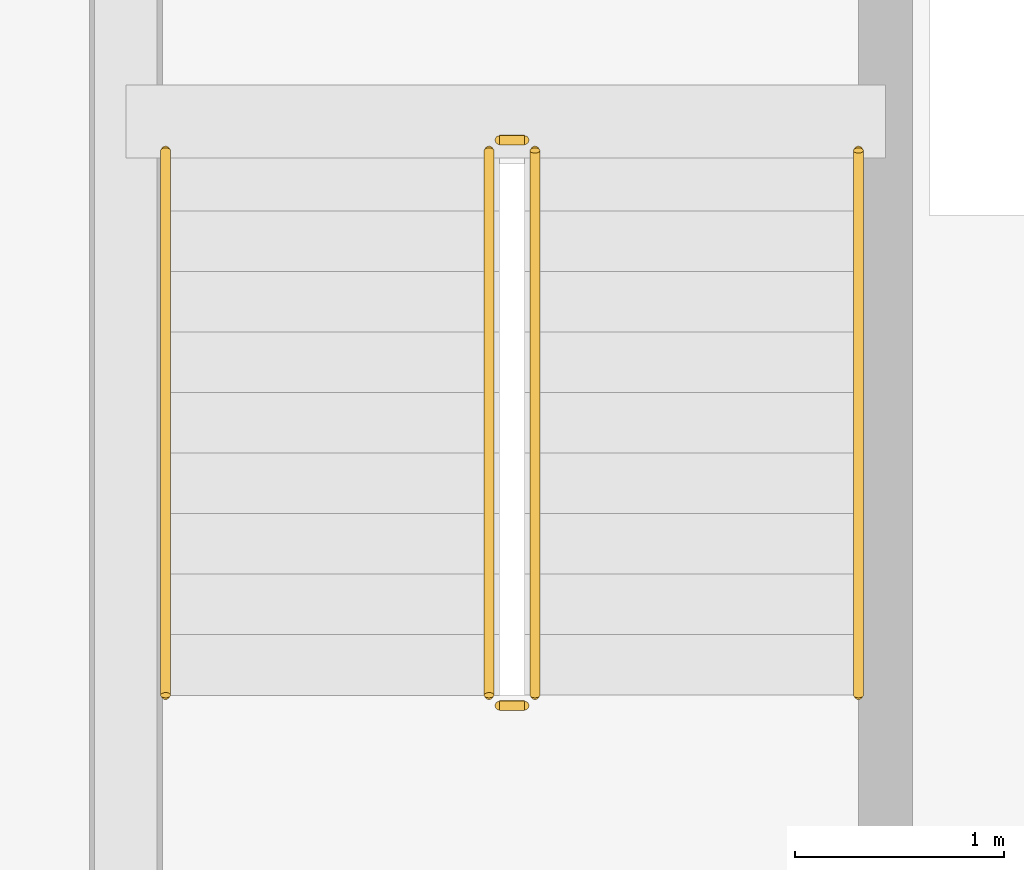
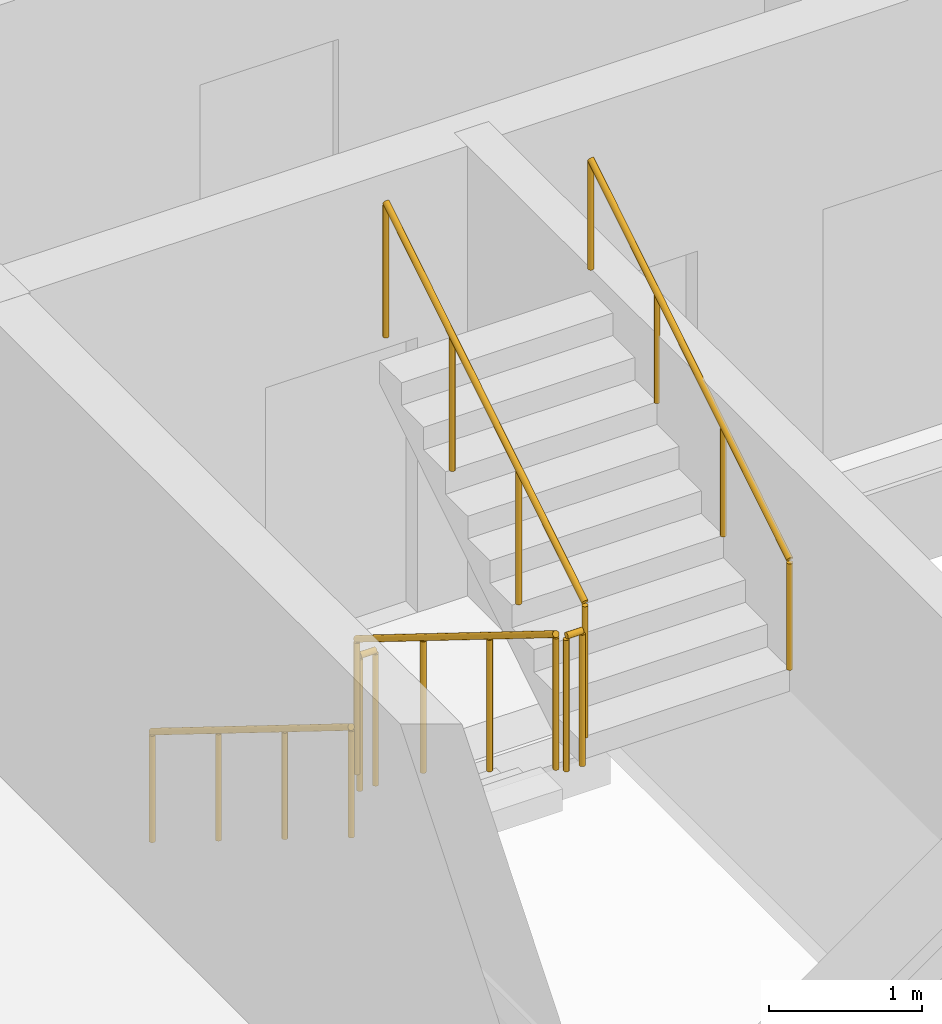
# One storey, part 30 of 34: 6 railings.
"""IFC4 building model written with IfcOpenShell, lengths in metres."""

import ifcopenshell
import ifcopenshell.guid

model = None  # the IFC model being written
_history = None  # IfcOwnerHistory: only IFC2X3 demands one
_inside = {}  # id of a spatial element -> (the spatial element, [elements in it])
_under = {}  # id of a project, library or spatial element -> (it, [spatial elements below it])
_declared = {}  # id of a project -> (the project, [libraries it declares])
_typed = {}  # id of a type object -> (the type object, [elements of that type])
_made_of = {}  # id of a material, layer set ... -> (it, [elements and type objects made of it])


def new_model(schema):
    """Start an empty IFC model of exactly this schema.

    Asked for "IFC4X3", IfcOpenShell would pick the latest addendum, in which some entities
    have other attributes; the version numbers below select the first issue.
    IFC2X3 requires an IfcOwnerHistory on every rooted entity: one is made here for all.
    """
    global model, _history
    if schema == "IFC4X3":
        model = ifcopenshell.file(schema_version=(4, 3, 0, 0))
    else:
        model = ifcopenshell.file(schema=schema)
    _inside.clear()
    _under.clear()
    _declared.clear()
    _typed.clear()
    _made_of.clear()
    _history = None
    if model.schema == "IFC2X3":
        org = make("IfcOrganization", Name="unknown")
        user = make(
            "IfcPersonAndOrganization",
            ThePerson=make("IfcPerson", FamilyName="unknown"),
            TheOrganization=org,
        )
        app = make(
            "IfcApplication",
            ApplicationDeveloper=org,
            Version="unknown",
            ApplicationFullName="unknown",
            ApplicationIdentifier="unknown",
        )
        _history = make(
            "IfcOwnerHistory",
            OwningUser=user,
            OwningApplication=app,
            ChangeAction="ADDED",
            CreationDate=0,
        )
    return model


def make(cls, **values):
    """One entity of the class cls with the attributes given. An attribute that is None is left unset."""
    return model.create_entity(
        cls, **{name: value for name, value in values.items() if value is not None}
    )


def rooted(cls, **values):
    """An entity with a GlobalId (a new one), such as an element, a storey or a relation."""
    return make(cls, GlobalId=ifcopenshell.guid.new(), OwnerHistory=_history, **values)


def si_unit(unit_type, name, prefix=None):
    """IfcSIUnit, for example si_unit("LENGTHUNIT", "METRE", prefix="MILLI")."""
    return make("IfcSIUnit", UnitType=unit_type, Prefix=prefix, Name=name)


def assignment(units):
    """IfcUnitAssignment: the units of a project."""
    return None if units is None else make("IfcUnitAssignment", Units=units)


def point(xyz):
    """IfcCartesianPoint."""
    return None if xyz is None else make("IfcCartesianPoint", Coordinates=xyz)


def direction(xyz):
    """IfcDirection."""
    return None if xyz is None else make("IfcDirection", DirectionRatios=xyz)


def frame(location, z_axis=None, x_axis=None):
    """IfcAxis2Placement3D, a coordinate frame: its origin and axes. An axis left out is left unset."""
    return make(
        "IfcAxis2Placement3D",
        Location=point(location),
        Axis=direction(z_axis),
        RefDirection=direction(x_axis),
    )


def frame_2d(location, x_axis=None):
    """IfcAxis2Placement2D, a coordinate frame in the plane: its origin and x axis."""
    return make(
        "IfcAxis2Placement2D", Location=point(location), RefDirection=direction(x_axis)
    )


def origin():
    """The frame at (0, 0, 0) with its axes left unset."""
    return frame((0.0, 0.0, 0.0))


def origin_2d():
    """The frame at (0, 0) in the plane with its x axis left unset."""
    return frame_2d((0.0, 0.0))


def place(relative_to, where):
    """IfcLocalPlacement: puts the frame where relative to a parent placement (None: the world)."""
    return make(
        "IfcLocalPlacement", PlacementRelTo=relative_to, RelativePlacement=where
    )


def context(
    kind, dimensions, precision=None, world=None, true_north=None, identifier=None
):
    """IfcGeometricRepresentationContext, for example the 3D "Model" context."""
    return make(
        "IfcGeometricRepresentationContext",
        ContextIdentifier=identifier,
        ContextType=kind,
        CoordinateSpaceDimension=dimensions,
        Precision=precision,
        WorldCoordinateSystem=world,
        TrueNorth=true_north,
    )


def subcontext(parent, identifier, kind, view, scale=None):
    """IfcGeometricRepresentationSubContext, for example "Body" below "Model"."""
    return make(
        "IfcGeometricRepresentationSubContext",
        ContextIdentifier=identifier,
        ContextType=kind,
        ParentContext=parent,
        TargetScale=scale,
        TargetView=view,
    )


def project(units=None, contexts=None):
    """IfcProject with its units and contexts."""
    return rooted(
        "IfcProject",
        Name="project",
        RepresentationContexts=contexts,
        UnitsInContext=assignment(units),
    )


def spatial(cls, under=None, at=None, **own):
    """A site, building, storey or space (cls), placed at a placement, below another one or the project."""
    s = rooted(cls, ObjectPlacement=at, **own)
    if under is not None:
        _under.setdefault(under.id(), (under, []))[1].append(s)
    return s


def profile(cls, at=None, kind="AREA", **sizes):
    """A parametric profile (cls). Its sizes go by their IFC names, for example OverallWidth=200.0."""
    return make(cls, ProfileType=kind, Position=at, **sizes)


def circle(**sizes):
    """IfcCircleProfileDef."""
    return profile("IfcCircleProfileDef", **sizes)


def extrude(swept, where, along, depth):
    """IfcExtrudedAreaSolid: the profile swept, set in the frame where, extruded along a direction by depth."""
    return make(
        "IfcExtrudedAreaSolid",
        SweptArea=swept,
        Position=where,
        ExtrudedDirection=direction(along),
        Depth=depth,
    )


def shape(context_of_items, identifier, shape_type, items):
    """IfcShapeRepresentation: the items that make up one representation, for example the "Body"."""
    return make(
        "IfcShapeRepresentation",
        ContextOfItems=context_of_items,
        RepresentationIdentifier=identifier,
        RepresentationType=shape_type,
        Items=items,
    )


def material(Name=None, Category=None):
    """IfcMaterial."""
    return make("IfcMaterial", Name=Name, Category=Category)


def made_of(thing, what):
    """Note that an element or type object is made of a material, layer set ...; save() writes the relation."""
    if what is not None:
        _made_of.setdefault(what.id(), (what, []))[1].append(thing)
    return thing


def type_object(cls, material=None, **own):
    """A type object (cls), such as IfcWallType, which elements share."""
    return made_of(rooted(cls, **own), material)


def element(
    cls,
    number,
    at=None,
    inside=None,
    cuts=None,
    type_object=None,
    material=None,
    context=None,
    identifier="Body",
    shape_type=None,
    held_by="IfcProductDefinitionShape",
    body=None,
    shapes=None,
    **own,
):
    """One element of the class cls, such as IfcWall. Its Tag is "e" and its number.

    at: its placement. inside: the storey or other place that contains it. cuts: it is an
    opening in that element (IfcRelVoidsElement). A single representation is given by context,
    identifier, shape_type and body (its items); several are given by shapes. held_by: the class
    of the entity that holds the representations. save() writes the other relations.
    """
    e = rooted(cls, Tag="e%d" % number, ObjectPlacement=at, **own)
    if body is not None:
        shapes = [shape(context, identifier, shape_type, body)]
    if shapes is not None:
        e.Representation = make(held_by, Representations=shapes)
    if inside is not None:
        _inside.setdefault(inside.id(), (inside, []))[1].append(e)
    if cuts is not None:
        rooted(
            "IfcRelVoidsElement", RelatingBuildingElement=cuts, RelatedOpeningElement=e
        )
    if type_object is not None:
        _typed.setdefault(type_object.id(), (type_object, []))[1].append(e)
    return made_of(e, material)


def aggregate(whole, parts):
    """IfcRelAggregates: a whole, such as a stair, and the parts it consists of."""
    return rooted("IfcRelAggregates", RelatingObject=whole, RelatedObjects=parts)


def save(model, path):
    """Write the relations noted so far, then the file.

    IfcRelAggregates (storeys below a building ...), IfcRelContainedInSpatialStructure (elements
    in a storey), IfcRelDefinesByType, IfcRelAssociatesMaterial and IfcRelDeclares: one each for
    every whole, place, type object, material and project.
    """
    for whole, parts in _under.values():
        aggregate(whole, parts)
    for where, things in _inside.values():
        rooted(
            "IfcRelContainedInSpatialStructure",
            RelatedElements=things,
            RelatingStructure=where,
        )
    for kind, things in _typed.values():
        rooted("IfcRelDefinesByType", RelatedObjects=things, RelatingType=kind)
    for what, things in _made_of.values():
        rooted("IfcRelAssociatesMaterial", RelatedObjects=things, RelatingMaterial=what)
    for by, libraries in _declared.values():
        rooted("IfcRelDeclares", RelatingContext=by, RelatedDefinitions=libraries)
    model.write(path)


model = new_model("IFC4")

# Units and contexts
model_context = context("Model", 3, precision=1e-05, world=origin(), true_north=direction((0.0, 1.0)))
body_context = subcontext(model_context, "Body", "Model", "MODEL_VIEW")
ifc_project = project(units=[si_unit("LENGTHUNIT", "METRE"), si_unit("AREAUNIT", "SQUARE_METRE"), si_unit("VOLUMEUNIT", "CUBIC_METRE"), si_unit("PLANEANGLEUNIT", "RADIAN"), si_unit("MASSUNIT", "GRAM", prefix="KILO")], contexts=[model_context])

# Site, building, storey
site_placement = place(None, origin())
site = spatial("IfcSite", under=ifc_project, at=site_placement, CompositionType="ELEMENT")
building_placement = place(site_placement, origin())
building = spatial("IfcBuilding", under=site, at=building_placement, Name="Vharandega Faculty of Natural Sciences", CompositionType="ELEMENT")
storey_placement = place(building_placement, frame((0.0, 0.0, 21.60009765625)))
storey = spatial("IfcBuildingStorey", under=building, at=storey_placement, Name="L05", CompositionType="ELEMENT", Elevation=21.60009765625)

# Railings
ifc_material_1 = material(Name="Brushed stainless steel handrail", Category="steel")
railing_type_1 = type_object("IfcRailingType", Name="Stair Tubular Handrail 900", PredefinedType="HANDRAIL", material=ifc_material_1)
railing_1_placement = place(storey_placement, frame((32.18994140625, 46.2099609375, 0.179931640625)))
element("IfcRailing", 1, at=railing_1_placement, inside=storey, type_object=railing_type_1, Name="L05 ST3 stair handrail 1", PredefinedType="HANDRAIL", context=body_context, shape_type="SweptSolid", body=[
    extrude(circle(Radius=0.02392578125, at=origin_2d()), frame((0.0, 0.0, 0.8759765625), z_axis=(0.0, -0.849646306263, 0.527352969322), x_axis=(1.0, 0.0, 0.0)), (0.0, 0.0, 1.0), 3.07177734375),
    extrude(circle(Radius=0.02099609375, at=origin_2d()), origin(), (0.0, 0.0, 1.0), 0.851806640625),
    extrude(circle(Radius=0.02099609375, at=origin_2d()), frame((0.0, -0.869873046875, 0.5400390625)), (0.0, 0.0, 1.0), 0.851806640625),
    extrude(circle(Radius=0.02099609375, at=origin_2d()), frame((0.0, -1.739990234375, 1.079833984375)), (0.0, 0.0, 1.0), 0.851806640625),
    extrude(circle(Radius=0.02099609375, at=origin_2d()), frame((0.0, -2.60986328125, 1.619873046875)), (0.0, 0.0, 1.0), 0.851806640625),
])
railing_2_placement = place(storey_placement, frame((35.510009765625, 43.60009765625, 1.97998046875)))
element("IfcRailing", 2, at=railing_2_placement, inside=storey, type_object=railing_type_1, Name="L05 ST3 stair handrail 2", PredefinedType="HANDRAIL", context=body_context, shape_type="SweptSolid", body=[
    extrude(circle(Radius=0.02392578125, at=origin_2d()), frame((0.0, 0.0, 0.8759765625), z_axis=(0.0, 0.849646306263, 0.527352969322), x_axis=(-1.0, 0.0, 0.0)), (0.0, 0.0, 1.0), 3.07177734375),
    extrude(circle(Radius=0.02099609375, at=origin_2d()), origin(), (0.0, 0.0, 1.0), 0.851806640625),
    extrude(circle(Radius=0.02099609375, at=origin_2d()), frame((0.0, 0.869873046875, 0.5400390625)), (0.0, 0.0, 1.0), 0.851806640625),
    extrude(circle(Radius=0.02099609375, at=origin_2d()), frame((0.0, 1.739990234375, 1.079833984375)), (0.0, 0.0, 1.0), 0.851806640625),
    extrude(circle(Radius=0.02099609375, at=origin_2d()), frame((0.0, 2.60986328125, 1.619873046875)), (0.0, 0.0, 1.0), 0.851806640625),
])
ifc_material_2 = material(Name="Painted steel stair guardrail", Category="steel")
railing_type_2 = type_object("IfcRailingType", Name="Stairwell Steel Guardrail 1100", PredefinedType="GUARDRAIL", material=ifc_material_2)
railing_3_placement = place(storey_placement, frame((33.739990234375, 46.2099609375, 0.179931640625)))
element("IfcRailing", 3, at=railing_3_placement, inside=storey, type_object=railing_type_2, Name="L05 ST3 stair guard 1", PredefinedType="GUARDRAIL", context=body_context, shape_type="SweptSolid", body=[
    extrude(circle(Radius=0.02392578125, at=origin_2d()), frame((0.0, 0.0, 1.076171875), z_axis=(0.0, -0.849646306263, 0.527352969322), x_axis=(1.0, 0.0, 0.0)), (0.0, 0.0, 1.0), 3.07177734375),
    extrude(circle(Radius=0.02099609375, at=origin_2d()), origin(), (0.0, 0.0, 1.0), 1.052001953125),
    extrude(circle(Radius=0.02099609375, at=origin_2d()), frame((0.0, -0.869873046875, 0.5400390625)), (0.0, 0.0, 1.0), 1.052001953125),
    extrude(circle(Radius=0.02099609375, at=origin_2d()), frame((0.0, -1.739990234375, 1.079833984375)), (0.0, 0.0, 1.0), 1.052001953125),
    extrude(circle(Radius=0.02099609375, at=origin_2d()), frame((0.0, -2.60986328125, 1.619873046875)), (0.0, 0.0, 1.0), 1.052001953125),
])
railing_4_placement = place(storey_placement, frame((33.7900390625, 43.550048828125, 1.7998046875)))
element("IfcRailing", 4, at=railing_4_placement, inside=storey, type_object=railing_type_2, Name="L05 ST3 stair guard 2", PredefinedType="GUARDRAIL", context=body_context, shape_type="SweptSolid", body=[
    extrude(circle(Radius=0.02392578125, at=origin_2d()), frame((0.0, 0.0, 1.076171875), z_axis=(1.0, 0.0, 0.0), x_axis=(0.0, 1.0, 0.0)), (0.0, 0.0, 1.0), 0.119873046875),
    extrude(circle(Radius=0.02099609375, at=origin_2d()), origin(), (0.0, 0.0, 1.0), 1.052001953125),
    extrude(circle(Radius=0.02099609375, at=origin_2d()), frame((0.119873046875, 0.0, 0.0)), (0.0, 0.0, 1.0), 1.052001953125),
])
railing_5_placement = place(storey_placement, frame((33.9599609375, 43.60009765625, 1.97998046875)))
element("IfcRailing", 5, at=railing_5_placement, inside=storey, type_object=railing_type_2, Name="L05 ST3 stair guard 3", PredefinedType="GUARDRAIL", context=body_context, shape_type="SweptSolid", body=[
    extrude(circle(Radius=0.02392578125, at=origin_2d()), frame((0.0, 0.0, 1.076171875), z_axis=(0.0, 0.849646306263, 0.527352969322), x_axis=(-1.0, 0.0, 0.0)), (0.0, 0.0, 1.0), 3.07177734375),
    extrude(circle(Radius=0.02099609375, at=origin_2d()), origin(), (0.0, 0.0, 1.0), 1.052001953125),
    extrude(circle(Radius=0.02099609375, at=origin_2d()), frame((0.0, 0.869873046875, 0.5400390625)), (0.0, 0.0, 1.0), 1.052001953125),
    extrude(circle(Radius=0.02099609375, at=origin_2d()), frame((0.0, 1.739990234375, 1.079833984375)), (0.0, 0.0, 1.0), 1.052001953125),
    extrude(circle(Radius=0.02099609375, at=origin_2d()), frame((0.0, 2.60986328125, 1.619873046875)), (0.0, 0.0, 1.0), 1.052001953125),
])
railing_6_placement = place(storey_placement, frame((33.7900390625, 46.260009765625, 0.0)))
element("IfcRailing", 6, at=railing_6_placement, inside=storey, type_object=railing_type_2, Name="L05 ST3 stair guard 4", PredefinedType="GUARDRAIL", context=body_context, shape_type="SweptSolid", body=[
    extrude(circle(Radius=0.02392578125, at=origin_2d()), frame((0.0, 0.0, 1.076171875), z_axis=(1.0, 0.0, 0.0), x_axis=(0.0, 1.0, 0.0)), (0.0, 0.0, 1.0), 0.119873046875),
    extrude(circle(Radius=0.02099609375, at=origin_2d()), origin(), (0.0, 0.0, 1.0), 1.052001953125),
    extrude(circle(Radius=0.02099609375, at=origin_2d()), frame((0.119873046875, 0.0, 0.0)), (0.0, 0.0, 1.0), 1.052001953125),
])

save(model, "model.ifc")
